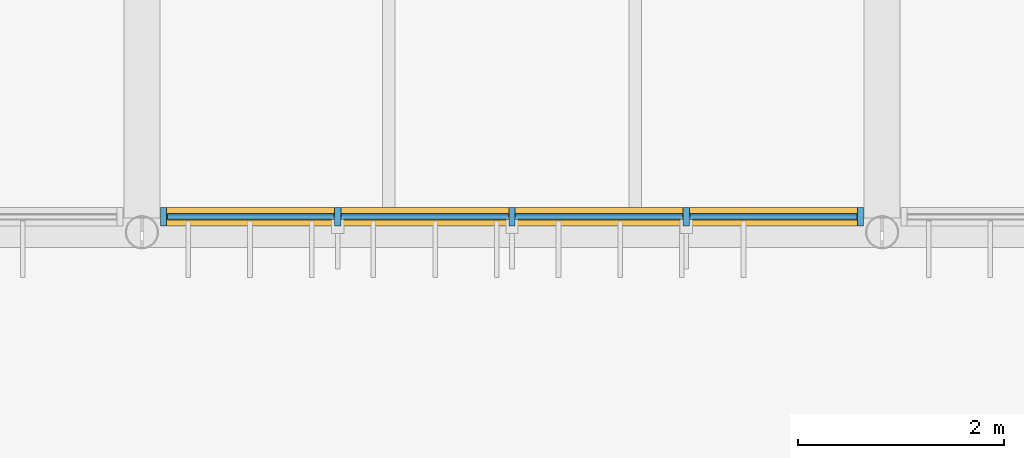
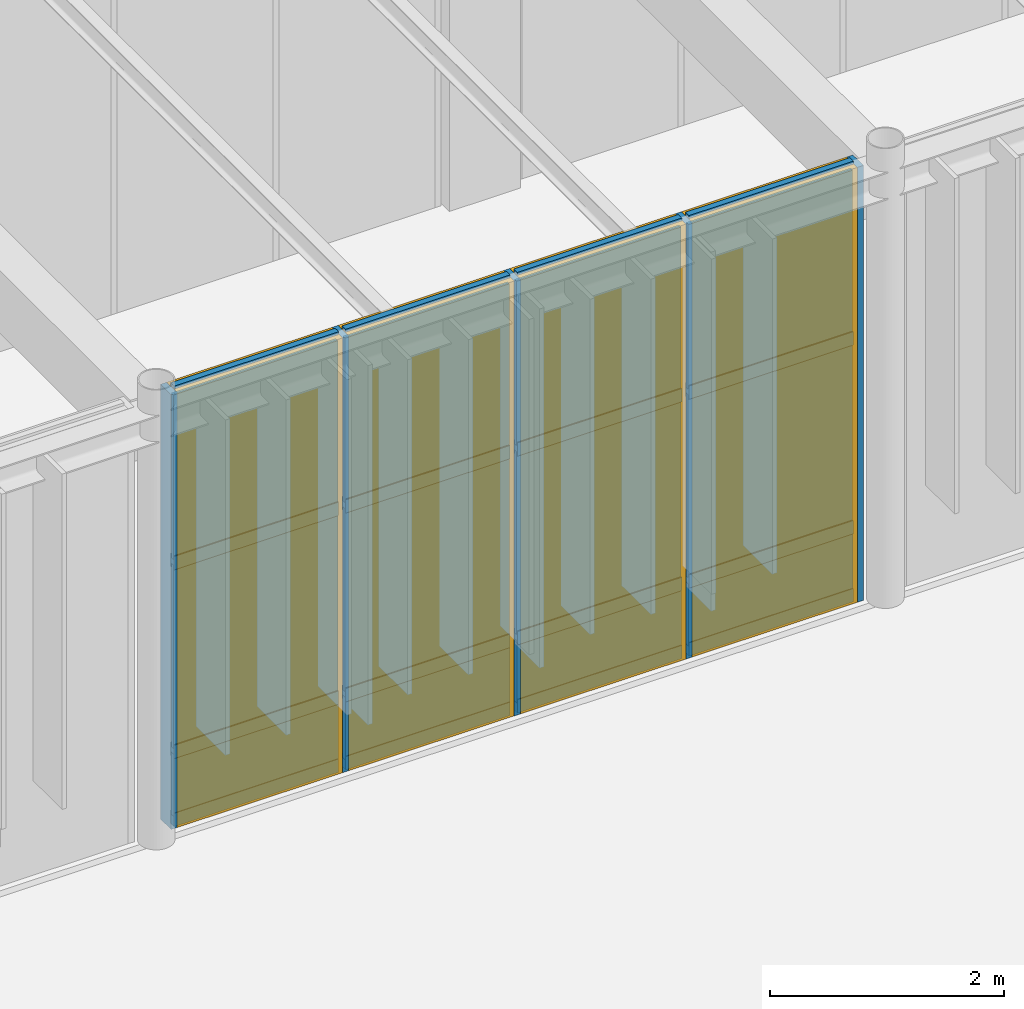
# One storey, part 71 of 122: 21 members, 12 plates, 1 curtain wall.
"""IFC4 building model written with IfcOpenShell, lengths in metres."""

from ifc_helpers import new_model, si_unit, direction, frame, frame_2d, origin, origin_2d, place, context, subcontext, project, spatial, rectangle, extrude, material, layer, layer_set, material_profile, profile_set, type_object, element, aggregate, save


model = new_model("IFC4")

# Units and contexts
model_context = context("Model", 3, precision=1e-05, world=origin(), true_north=direction((0.0, 1.0)))
body_context = subcontext(model_context, "Body", "Model", "MODEL_VIEW")
ifc_project = project(units=[si_unit("LENGTHUNIT", "METRE"), si_unit("AREAUNIT", "SQUARE_METRE"), si_unit("VOLUMEUNIT", "CUBIC_METRE"), si_unit("PLANEANGLEUNIT", "RADIAN"), si_unit("MASSUNIT", "GRAM", prefix="KILO")], contexts=[model_context])

# Member
ifc_material_1 = material(Name="Anodised Bronze Aluminium 6063-T6", Category="aluminium")
ifc_material_profile_1 = material_profile(ifc_material_1, rectangle(XDim=0.06005859375, YDim=0.179931640625, at=origin_2d()), Name="ALU MULLION 60x180")
ifc_profile_set_1 = profile_set([ifc_material_profile_1], Name="Anodised Bronze Aluminium 6063-T6")
member_type_1 = type_object("IfcMemberType", Name="Curtain-Wall Primary Mullion 60x180", PredefinedType="MULLION", material=ifc_profile_set_1)
site_placement = place(None, origin())
building_placement = place(site_placement, origin())
storey_placement = place(building_placement, origin())
member_1_placement = place(storey_placement, frame((36.2119140625, 44.75, 0.0), z_axis=(0.0, 0.0, 1.0), x_axis=(1.0, 0.0, 0.0)))
member_1 = element("IfcMember", 1, at=member_1_placement, type_object=member_type_1, Name="Mullion CWM-01 CW-WLNK-S-L00-B2-M01", PredefinedType="MULLION", context=body_context, shape_type="SweptSolid", body=[
    extrude(rectangle(XDim=0.06005859375, YDim=0.179931640625, at=origin_2d()), origin(), (0.0, 0.0, 1.0), 4.5400390625),
])

member_2_placement = place(storey_placement, frame((37.906005859375, 44.75, 0.0), z_axis=(0.0, 0.0, 1.0), x_axis=(1.0, 0.0, 0.0)))
member_2 = element("IfcMember", 2, at=member_2_placement, type_object=member_type_1, Name="Mullion CWM-01 CW-WLNK-S-L00-B2-M02", PredefinedType="MULLION", context=body_context, shape_type="SweptSolid", body=[
    extrude(rectangle(XDim=0.06005859375, YDim=0.179931640625, at=origin_2d()), origin(), (0.0, 0.0, 1.0), 4.5400390625),
])

member_3_placement = place(storey_placement, frame((39.60009765625, 44.75, 0.0), z_axis=(0.0, 0.0, 1.0), x_axis=(1.0, 0.0, 0.0)))
member_3 = element("IfcMember", 3, at=member_3_placement, type_object=member_type_1, Name="Mullion CWM-01 CW-WLNK-S-L00-B2-M03", PredefinedType="MULLION", context=body_context, shape_type="SweptSolid", body=[
    extrude(rectangle(XDim=0.06005859375, YDim=0.179931640625, at=origin_2d()), origin(), (0.0, 0.0, 1.0), 4.5400390625),
])

member_4_placement = place(storey_placement, frame((41.294189453125, 44.75, 0.0), z_axis=(0.0, 0.0, 1.0), x_axis=(1.0, 0.0, 0.0)))
member_4 = element("IfcMember", 4, at=member_4_placement, type_object=member_type_1, Name="Mullion CWM-01 CW-WLNK-S-L00-B2-M04", PredefinedType="MULLION", context=body_context, shape_type="SweptSolid", body=[
    extrude(rectangle(XDim=0.06005859375, YDim=0.179931640625, at=origin_2d()), origin(), (0.0, 0.0, 1.0), 4.5400390625),
])

member_5_placement = place(storey_placement, frame((42.988037109375, 44.75, 0.0), z_axis=(0.0, 0.0, 1.0), x_axis=(1.0, 0.0, 0.0)))
member_5 = element("IfcMember", 5, at=member_5_placement, type_object=member_type_1, Name="Mullion CWM-01 CW-WLNK-S-L00-B2-M05", PredefinedType="MULLION", context=body_context, shape_type="SweptSolid", body=[
    extrude(rectangle(XDim=0.06005859375, YDim=0.179931640625, at=origin_2d()), origin(), (0.0, 0.0, 1.0), 4.5400390625),
])

ifc_material_profile_2 = material_profile(ifc_material_1, rectangle(XDim=0.06005859375, YDim=0.139892578125, at=origin_2d()), Name="ALU TRANSOM 60x140")
ifc_profile_set_2 = profile_set([ifc_material_profile_2], Name="Anodised Bronze Aluminium 6063-T6")
member_type_2 = type_object("IfcMemberType", Name="Curtain-Wall Transom 60x140", PredefinedType="USERDEFINED", material=ifc_profile_set_2)
member_6_placement = place(storey_placement, frame((36.2470703125, 44.75, 0.0400390625), z_axis=(1.0, 0.0, 0.0), x_axis=(0.0, 1.0, 0.0)))
member_6 = element("IfcMember", 6, at=member_6_placement, type_object=member_type_2, Name="Transom CWT-01 CW-WLNK-S-L00-B2-T01.1", ObjectType="TRANSOM", PredefinedType="USERDEFINED", context=body_context, shape_type="SweptSolid", body=[
    extrude(rectangle(XDim=0.06005859375, YDim=0.139892578125, at=origin_2d()), origin(), (0.0, 0.0, 1.0), 1.6240234375),
])

member_7_placement = place(storey_placement, frame((36.2470703125, 44.75, 0.75), z_axis=(1.0, 0.0, 0.0), x_axis=(0.0, 1.0, 0.0)))
member_7 = element("IfcMember", 7, at=member_7_placement, type_object=member_type_2, Name="Transom CWT-01 CW-WLNK-S-L00-B2-T01.2", ObjectType="TRANSOM", PredefinedType="USERDEFINED", context=body_context, shape_type="SweptSolid", body=[
    extrude(rectangle(XDim=0.06005859375, YDim=0.139892578125, at=origin_2d()), origin(), (0.0, 0.0, 1.0), 1.6240234375),
])

member_8_placement = place(storey_placement, frame((36.2470703125, 44.75, 2.720703125), z_axis=(1.0, 0.0, 0.0), x_axis=(0.0, 1.0, 0.0)))
member_8 = element("IfcMember", 8, at=member_8_placement, type_object=member_type_2, Name="Transom CWT-01 CW-WLNK-S-L00-B2-T01.3", ObjectType="TRANSOM", PredefinedType="USERDEFINED", context=body_context, shape_type="SweptSolid", body=[
    extrude(rectangle(XDim=0.06005859375, YDim=0.139892578125, at=origin_2d()), origin(), (0.0, 0.0, 1.0), 1.6240234375),
])

member_9_placement = place(storey_placement, frame((36.2470703125, 44.75, 4.5), z_axis=(1.0, 0.0, 0.0), x_axis=(0.0, 1.0, 0.0)))
member_9 = element("IfcMember", 9, at=member_9_placement, type_object=member_type_2, Name="Transom CWT-01 CW-WLNK-S-L00-B2-T01.4", ObjectType="TRANSOM", PredefinedType="USERDEFINED", context=body_context, shape_type="SweptSolid", body=[
    extrude(rectangle(XDim=0.06005859375, YDim=0.139892578125, at=origin_2d()), origin(), (0.0, 0.0, 1.0), 1.6240234375),
])

member_10_placement = place(storey_placement, frame((37.94091796875, 44.75, 0.0400390625), z_axis=(1.0, 0.0, 0.0), x_axis=(0.0, 1.0, 0.0)))
member_10 = element("IfcMember", 10, at=member_10_placement, type_object=member_type_2, Name="Transom CWT-01 CW-WLNK-S-L00-B2-T02.1", ObjectType="TRANSOM", PredefinedType="USERDEFINED", context=body_context, shape_type="SweptSolid", body=[
    extrude(rectangle(XDim=0.06005859375, YDim=0.139892578125, at=origin_2d()), origin(), (0.0, 0.0, 1.0), 1.6240234375),
])

member_11_placement = place(storey_placement, frame((37.94091796875, 44.75, 0.75), z_axis=(1.0, 0.0, 0.0), x_axis=(0.0, 1.0, 0.0)))
member_11 = element("IfcMember", 11, at=member_11_placement, type_object=member_type_2, Name="Transom CWT-01 CW-WLNK-S-L00-B2-T02.2", ObjectType="TRANSOM", PredefinedType="USERDEFINED", context=body_context, shape_type="SweptSolid", body=[
    extrude(rectangle(XDim=0.06005859375, YDim=0.139892578125, at=origin_2d()), origin(), (0.0, 0.0, 1.0), 1.6240234375),
])

member_12_placement = place(storey_placement, frame((37.94091796875, 44.75, 2.720703125), z_axis=(1.0, 0.0, 0.0), x_axis=(0.0, 1.0, 0.0)))
member_12 = element("IfcMember", 12, at=member_12_placement, type_object=member_type_2, Name="Transom CWT-01 CW-WLNK-S-L00-B2-T02.3", ObjectType="TRANSOM", PredefinedType="USERDEFINED", context=body_context, shape_type="SweptSolid", body=[
    extrude(rectangle(XDim=0.06005859375, YDim=0.139892578125, at=origin_2d()), origin(), (0.0, 0.0, 1.0), 1.6240234375),
])

member_13_placement = place(storey_placement, frame((37.94091796875, 44.75, 4.5), z_axis=(1.0, 0.0, 0.0), x_axis=(0.0, 1.0, 0.0)))
member_13 = element("IfcMember", 13, at=member_13_placement, type_object=member_type_2, Name="Transom CWT-01 CW-WLNK-S-L00-B2-T02.4", ObjectType="TRANSOM", PredefinedType="USERDEFINED", context=body_context, shape_type="SweptSolid", body=[
    extrude(rectangle(XDim=0.06005859375, YDim=0.139892578125, at=origin_2d()), origin(), (0.0, 0.0, 1.0), 1.6240234375),
])

member_14_placement = place(storey_placement, frame((39.635009765625, 44.75, 0.0400390625), z_axis=(1.0, 0.0, 0.0), x_axis=(0.0, 1.0, 0.0)))
member_14 = element("IfcMember", 14, at=member_14_placement, type_object=member_type_2, Name="Transom CWT-01 CW-WLNK-S-L00-B2-T03.1", ObjectType="TRANSOM", PredefinedType="USERDEFINED", context=body_context, shape_type="SweptSolid", body=[
    extrude(rectangle(XDim=0.06005859375, YDim=0.139892578125, at=origin_2d()), origin(), (0.0, 0.0, 1.0), 1.6240234375),
])

member_15_placement = place(storey_placement, frame((39.635009765625, 44.75, 0.75), z_axis=(1.0, 0.0, 0.0), x_axis=(0.0, 1.0, 0.0)))
member_15 = element("IfcMember", 15, at=member_15_placement, type_object=member_type_2, Name="Transom CWT-01 CW-WLNK-S-L00-B2-T03.2", ObjectType="TRANSOM", PredefinedType="USERDEFINED", context=body_context, shape_type="SweptSolid", body=[
    extrude(rectangle(XDim=0.06005859375, YDim=0.139892578125, at=origin_2d()), origin(), (0.0, 0.0, 1.0), 1.6240234375),
])

member_16_placement = place(storey_placement, frame((39.635009765625, 44.75, 2.720703125), z_axis=(1.0, 0.0, 0.0), x_axis=(0.0, 1.0, 0.0)))
member_16 = element("IfcMember", 16, at=member_16_placement, type_object=member_type_2, Name="Transom CWT-01 CW-WLNK-S-L00-B2-T03.3", ObjectType="TRANSOM", PredefinedType="USERDEFINED", context=body_context, shape_type="SweptSolid", body=[
    extrude(rectangle(XDim=0.06005859375, YDim=0.139892578125, at=origin_2d()), origin(), (0.0, 0.0, 1.0), 1.6240234375),
])

member_17_placement = place(storey_placement, frame((39.635009765625, 44.75, 4.5), z_axis=(1.0, 0.0, 0.0), x_axis=(0.0, 1.0, 0.0)))
member_17 = element("IfcMember", 17, at=member_17_placement, type_object=member_type_2, Name="Transom CWT-01 CW-WLNK-S-L00-B2-T03.4", ObjectType="TRANSOM", PredefinedType="USERDEFINED", context=body_context, shape_type="SweptSolid", body=[
    extrude(rectangle(XDim=0.06005859375, YDim=0.139892578125, at=origin_2d()), origin(), (0.0, 0.0, 1.0), 1.6240234375),
])

member_18_placement = place(storey_placement, frame((41.3291015625, 44.75, 0.0400390625), z_axis=(1.0, 0.0, 0.0), x_axis=(0.0, 1.0, 0.0)))
member_18 = element("IfcMember", 18, at=member_18_placement, type_object=member_type_2, Name="Transom CWT-01 CW-WLNK-S-L00-B2-T04.1", ObjectType="TRANSOM", PredefinedType="USERDEFINED", context=body_context, shape_type="SweptSolid", body=[
    extrude(rectangle(XDim=0.06005859375, YDim=0.139892578125, at=origin_2d()), origin(), (0.0, 0.0, 1.0), 1.6240234375),
])

member_19_placement = place(storey_placement, frame((41.3291015625, 44.75, 0.75), z_axis=(1.0, 0.0, 0.0), x_axis=(0.0, 1.0, 0.0)))
member_19 = element("IfcMember", 19, at=member_19_placement, type_object=member_type_2, Name="Transom CWT-01 CW-WLNK-S-L00-B2-T04.2", ObjectType="TRANSOM", PredefinedType="USERDEFINED", context=body_context, shape_type="SweptSolid", body=[
    extrude(rectangle(XDim=0.06005859375, YDim=0.139892578125, at=origin_2d()), origin(), (0.0, 0.0, 1.0), 1.6240234375),
])

member_20_placement = place(storey_placement, frame((41.3291015625, 44.75, 2.720703125), z_axis=(1.0, 0.0, 0.0), x_axis=(0.0, 1.0, 0.0)))
member_20 = element("IfcMember", 20, at=member_20_placement, type_object=member_type_2, Name="Transom CWT-01 CW-WLNK-S-L00-B2-T04.3", ObjectType="TRANSOM", PredefinedType="USERDEFINED", context=body_context, shape_type="SweptSolid", body=[
    extrude(rectangle(XDim=0.06005859375, YDim=0.139892578125, at=origin_2d()), origin(), (0.0, 0.0, 1.0), 1.6240234375),
])

member_21_placement = place(storey_placement, frame((41.3291015625, 44.75, 4.5), z_axis=(1.0, 0.0, 0.0), x_axis=(0.0, 1.0, 0.0)))
member_21 = element("IfcMember", 21, at=member_21_placement, type_object=member_type_2, Name="Transom CWT-01 CW-WLNK-S-L00-B2-T04.4", ObjectType="TRANSOM", PredefinedType="USERDEFINED", context=body_context, shape_type="SweptSolid", body=[
    extrude(rectangle(XDim=0.06005859375, YDim=0.139892578125, at=origin_2d()), origin(), (0.0, 0.0, 1.0), 1.6240234375),
])

# Plate
ifc_material_2 = material(Name="Insulated Bronze Aluminium Spandrel Panel", Category="aluminium")
ifc_layer_1 = layer(ifc_material_2, 0.050048828125, Name="Insulated Bronze Aluminium Spandrel Panel")
ifc_layer_set_1 = layer_set([ifc_layer_1], Name="Insulated Bronze Aluminium Spandrel Panel")
plate_type_1 = type_object("IfcPlateType", Name="Insulated Anodised Aluminium Spandrel Cassette 50", PredefinedType="CURTAIN_PANEL", material=ifc_layer_set_1)
plate_1_placement = place(storey_placement, frame((37.05908203125, 44.75, 0.070068359375), z_axis=(0.0, 0.0, 1.0), x_axis=(1.0, 0.0, 0.0)))
plate_1 = element("IfcPlate", 22, at=plate_1_placement, type_object=plate_type_1, Name="Curtain Panel CWP-03 CW-WLNK-S-L00-B2-P01.1", PredefinedType="CURTAIN_PANEL", context=body_context, shape_type="SweptSolid", body=[
    extrude(rectangle(XDim=1.6240234375, YDim=0.050048828125, at=origin_2d()), origin(), (0.0, 0.0, 1.0), 0.64990234375),
])

plate_2_placement = place(storey_placement, frame((38.7529296875, 44.75, 0.070068359375), z_axis=(0.0, 0.0, 1.0), x_axis=(1.0, 0.0, 0.0)))
plate_2 = element("IfcPlate", 23, at=plate_2_placement, type_object=plate_type_1, Name="Curtain Panel CWP-03 CW-WLNK-S-L00-B2-P02.1", PredefinedType="CURTAIN_PANEL", context=body_context, shape_type="SweptSolid", body=[
    extrude(rectangle(XDim=1.6240234375, YDim=0.050048828125, at=origin_2d()), origin(), (0.0, 0.0, 1.0), 0.64990234375),
])

plate_3_placement = place(storey_placement, frame((40.447021484375, 44.75, 0.070068359375), z_axis=(0.0, 0.0, 1.0), x_axis=(1.0, 0.0, 0.0)))
plate_3 = element("IfcPlate", 24, at=plate_3_placement, type_object=plate_type_1, Name="Curtain Panel CWP-03 CW-WLNK-S-L00-B2-P03.1", PredefinedType="CURTAIN_PANEL", context=body_context, shape_type="SweptSolid", body=[
    extrude(rectangle(XDim=1.6240234375, YDim=0.050048828125, at=origin_2d()), origin(), (0.0, 0.0, 1.0), 0.64990234375),
])

plate_4_placement = place(storey_placement, frame((42.14111328125, 44.75, 0.070068359375), z_axis=(0.0, 0.0, 1.0), x_axis=(1.0, 0.0, 0.0)))
plate_4 = element("IfcPlate", 25, at=plate_4_placement, type_object=plate_type_1, Name="Curtain Panel CWP-03 CW-WLNK-S-L00-B2-P04.1", PredefinedType="CURTAIN_PANEL", context=body_context, shape_type="SweptSolid", body=[
    extrude(rectangle(XDim=1.6240234375, YDim=0.050048828125, at=origin_2d()), origin(), (0.0, 0.0, 1.0), 0.64990234375),
])

ifc_material_3 = material(Name="Solar-Control Tempered Double Glazing", Category="glass")
ifc_layer_2 = layer(ifc_material_3, 0.0380859375, Name="Solar-Control Tempered Double Glazing")
ifc_layer_set_2 = layer_set([ifc_layer_2], Name="Solar-Control Tempered Double Glazing")
plate_type_2 = type_object("IfcPlateType", Name="Solar-Control Vision Glazing Unit 38", PredefinedType="CURTAIN_PANEL", material=ifc_layer_set_2)
plate_5_placement = place(storey_placement, frame((37.05908203125, 44.75, 0.77978515625), z_axis=(0.0, 0.0, 1.0), x_axis=(1.0, 0.0, 0.0)))
plate_5 = element("IfcPlate", 26, at=plate_5_placement, type_object=plate_type_2, Name="Curtain Panel CWP-02 CW-WLNK-S-L00-B2-P01.2", PredefinedType="CURTAIN_PANEL", context=body_context, shape_type="SweptSolid", body=[
    extrude(rectangle(XDim=1.6240234375, YDim=0.0380859375, at=origin_2d()), origin(), (0.0, 0.0, 1.0), 1.910888671875),
])

plate_6_placement = place(storey_placement, frame((37.05908203125, 44.75, 2.750732421875), z_axis=(0.0, 0.0, 1.0), x_axis=(1.0, 0.0, 0.0)))
plate_6 = element("IfcPlate", 27, at=plate_6_placement, type_object=plate_type_2, Name="Curtain Panel CWP-02 CW-WLNK-S-L00-B2-P01.3", PredefinedType="CURTAIN_PANEL", context=body_context, shape_type="SweptSolid", body=[
    extrude(rectangle(XDim=1.6240234375, YDim=0.0380859375, at=origin_2d()), origin(), (0.0, 0.0, 1.0), 1.71923828125),
])

plate_7_placement = place(storey_placement, frame((38.7529296875, 44.75, 0.77978515625), z_axis=(0.0, 0.0, 1.0), x_axis=(1.0, 0.0, 0.0)))
plate_7 = element("IfcPlate", 28, at=plate_7_placement, type_object=plate_type_2, Name="Curtain Panel CWP-02 CW-WLNK-S-L00-B2-P02.2", PredefinedType="CURTAIN_PANEL", context=body_context, shape_type="SweptSolid", body=[
    extrude(rectangle(XDim=1.6240234375, YDim=0.0380859375, at=origin_2d()), origin(), (0.0, 0.0, 1.0), 1.910888671875),
])

plate_8_placement = place(storey_placement, frame((38.7529296875, 44.75, 2.750732421875), z_axis=(0.0, 0.0, 1.0), x_axis=(1.0, 0.0, 0.0)))
plate_8 = element("IfcPlate", 29, at=plate_8_placement, type_object=plate_type_2, Name="Curtain Panel CWP-02 CW-WLNK-S-L00-B2-P02.3", PredefinedType="CURTAIN_PANEL", context=body_context, shape_type="SweptSolid", body=[
    extrude(rectangle(XDim=1.6240234375, YDim=0.0380859375, at=origin_2d()), origin(), (0.0, 0.0, 1.0), 1.71923828125),
])

plate_9_placement = place(storey_placement, frame((40.447021484375, 44.75, 0.77978515625), z_axis=(0.0, 0.0, 1.0), x_axis=(1.0, 0.0, 0.0)))
plate_9 = element("IfcPlate", 30, at=plate_9_placement, type_object=plate_type_2, Name="Curtain Panel CWP-02 CW-WLNK-S-L00-B2-P03.2", PredefinedType="CURTAIN_PANEL", context=body_context, shape_type="SweptSolid", body=[
    extrude(rectangle(XDim=1.6240234375, YDim=0.0380859375, at=origin_2d()), origin(), (0.0, 0.0, 1.0), 1.910888671875),
])

plate_10_placement = place(storey_placement, frame((40.447021484375, 44.75, 2.750732421875), z_axis=(0.0, 0.0, 1.0), x_axis=(1.0, 0.0, 0.0)))
plate_10 = element("IfcPlate", 31, at=plate_10_placement, type_object=plate_type_2, Name="Curtain Panel CWP-02 CW-WLNK-S-L00-B2-P03.3", PredefinedType="CURTAIN_PANEL", context=body_context, shape_type="SweptSolid", body=[
    extrude(rectangle(XDim=1.6240234375, YDim=0.0380859375, at=origin_2d()), origin(), (0.0, 0.0, 1.0), 1.71923828125),
])

plate_11_placement = place(storey_placement, frame((42.14111328125, 44.75, 0.77978515625), z_axis=(0.0, 0.0, 1.0), x_axis=(1.0, 0.0, 0.0)))
plate_11 = element("IfcPlate", 32, at=plate_11_placement, type_object=plate_type_2, Name="Curtain Panel CWP-02 CW-WLNK-S-L00-B2-P04.2", PredefinedType="CURTAIN_PANEL", context=body_context, shape_type="SweptSolid", body=[
    extrude(rectangle(XDim=1.6240234375, YDim=0.0380859375, at=origin_2d()), origin(), (0.0, 0.0, 1.0), 1.910888671875),
])

plate_12_placement = place(storey_placement, frame((42.14111328125, 44.75, 2.750732421875), z_axis=(0.0, 0.0, 1.0), x_axis=(1.0, 0.0, 0.0)))
plate_12 = element("IfcPlate", 33, at=plate_12_placement, type_object=plate_type_2, Name="Curtain Panel CWP-02 CW-WLNK-S-L00-B2-P04.3", PredefinedType="CURTAIN_PANEL", context=body_context, shape_type="SweptSolid", body=[
    extrude(rectangle(XDim=1.6240234375, YDim=0.0380859375, at=origin_2d()), origin(), (0.0, 0.0, 1.0), 1.71923828125),
])

# Site, building, storey
site = spatial("IfcSite", under=ifc_project, at=site_placement, CompositionType="ELEMENT")
building = spatial("IfcBuilding", under=site, at=building_placement, Name="Tazoul Stagehouse", CompositionType="ELEMENT")
storey = spatial("IfcBuildingStorey", under=building, at=storey_placement, Name="L00", CompositionType="ELEMENT", Elevation=0.0)

# Curtain wall
curtain_wall_type = type_object("IfcCurtainWallType", Name="Foyer Clear Solar-Control Curtain Wall", PredefinedType="NOTDEFINED", material=ifc_material_1)
curtain_wall_placement = place(storey_placement, frame((36.2119140625, 44.75, 0.0), z_axis=(0.0, 0.0, 1.0), x_axis=(1.0, 0.0, 0.0)))
curtain_wall = element("IfcCurtainWall", 34, at=curtain_wall_placement, inside=storey, type_object=curtain_wall_type, Name="L00 Curtain Wall CW-02 (CW-WLNK-S-L00-B2)", PredefinedType="NOTDEFINED", context=body_context, shape_type="SweptSolid", body=[
    extrude(rectangle(XDim=6.776123046875, YDim=0.179931640625, at=frame_2d((3.38818359375, 0.0))), origin(), (0.0, 0.0, 1.0), 4.5400390625),
])

aggregate(curtain_wall, [member_1, member_2, member_3, member_4, member_5, member_6, member_7, member_8, member_9, plate_1, plate_5, plate_6, member_10, member_11, member_12, member_13, plate_2, plate_7, plate_8, member_14, member_15, member_16, member_17, plate_3, plate_9, plate_10, member_18, member_19, member_20, member_21, plate_4, plate_11, plate_12])

save(model, "model.ifc")
